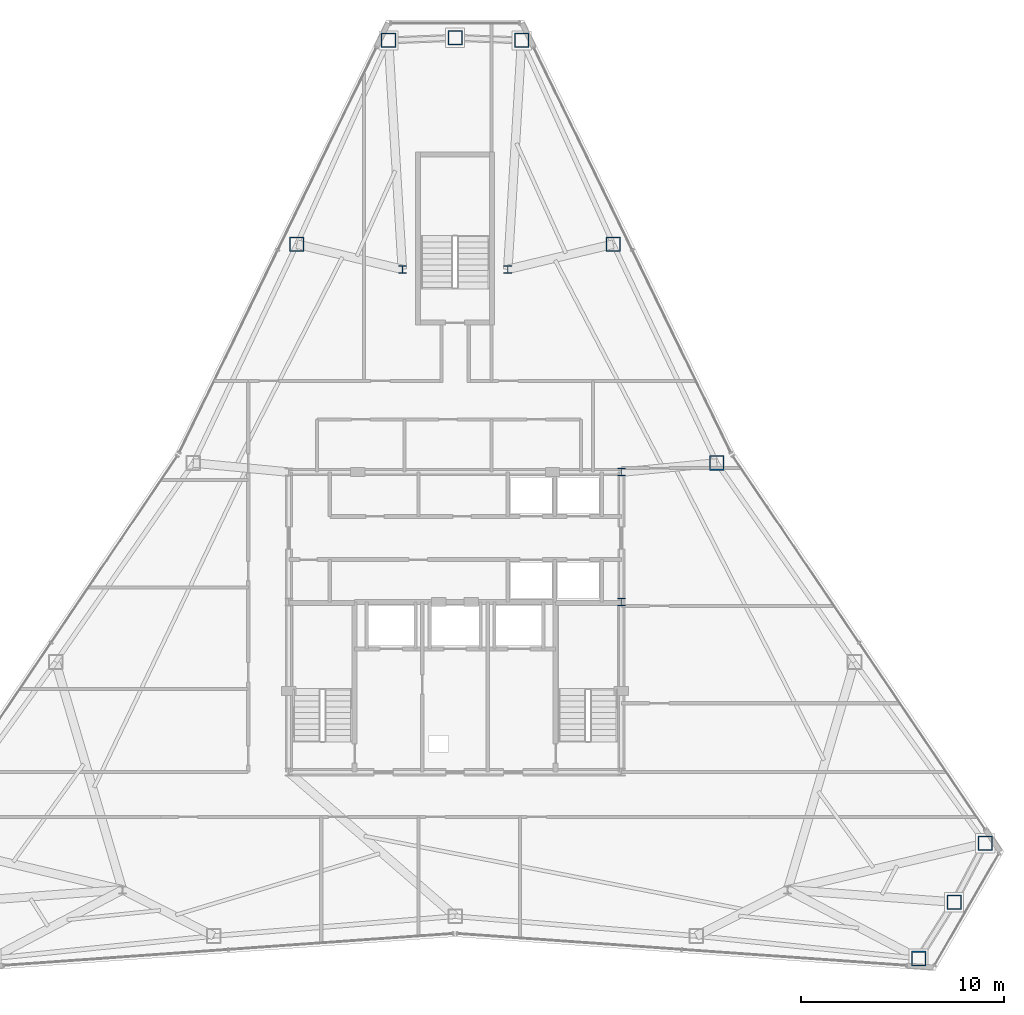
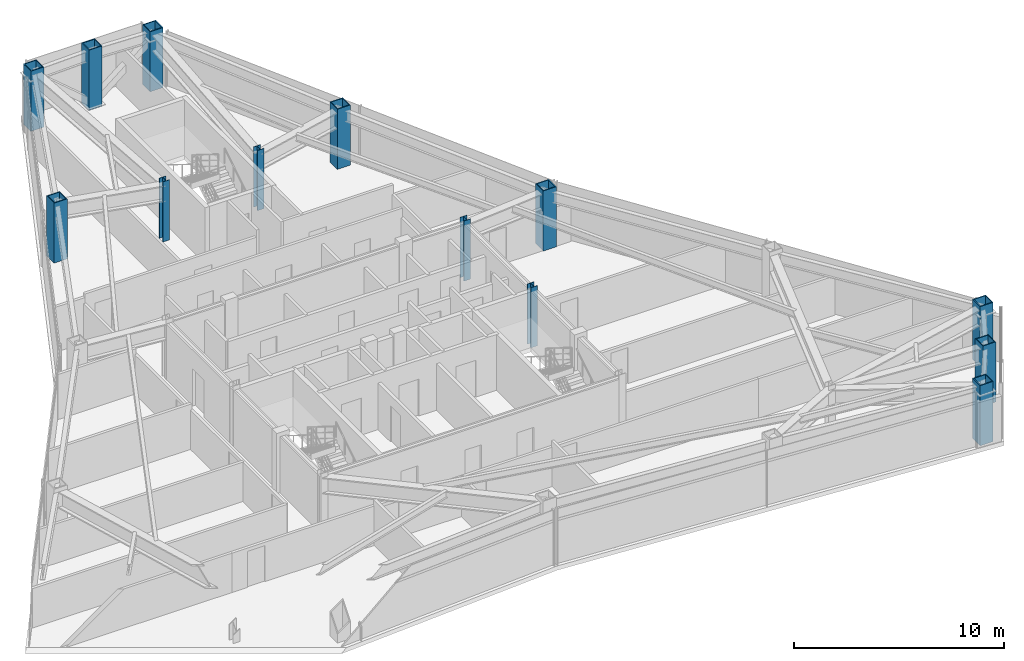
# One storey, part 2 of 12: 13 columns.
"""IFC4 building model written with IfcOpenShell, lengths in metres."""

import ifcopenshell
import ifcopenshell.guid

model = None  # the IFC model being written
_history = None  # IfcOwnerHistory: only IFC2X3 demands one
_inside = {}  # id of a spatial element -> (the spatial element, [elements in it])
_under = {}  # id of a project, library or spatial element -> (it, [spatial elements below it])
_declared = {}  # id of a project -> (the project, [libraries it declares])
_typed = {}  # id of a type object -> (the type object, [elements of that type])
_made_of = {}  # id of a material, layer set ... -> (it, [elements and type objects made of it])


def new_model(schema):
    """Start an empty IFC model of exactly this schema.

    Asked for "IFC4X3", IfcOpenShell would pick the latest addendum, in which some entities
    have other attributes; the version numbers below select the first issue.
    IFC2X3 requires an IfcOwnerHistory on every rooted entity: one is made here for all.
    """
    global model, _history
    if schema == "IFC4X3":
        model = ifcopenshell.file(schema_version=(4, 3, 0, 0))
    else:
        model = ifcopenshell.file(schema=schema)
    _inside.clear()
    _under.clear()
    _declared.clear()
    _typed.clear()
    _made_of.clear()
    _history = None
    if model.schema == "IFC2X3":
        org = make("IfcOrganization", Name="unknown")
        user = make(
            "IfcPersonAndOrganization",
            ThePerson=make("IfcPerson", FamilyName="unknown"),
            TheOrganization=org,
        )
        app = make(
            "IfcApplication",
            ApplicationDeveloper=org,
            Version="unknown",
            ApplicationFullName="unknown",
            ApplicationIdentifier="unknown",
        )
        _history = make(
            "IfcOwnerHistory",
            OwningUser=user,
            OwningApplication=app,
            ChangeAction="ADDED",
            CreationDate=0,
        )
    return model


def make(cls, **values):
    """One entity of the class cls with the attributes given. An attribute that is None is left unset."""
    return model.create_entity(
        cls, **{name: value for name, value in values.items() if value is not None}
    )


def rooted(cls, **values):
    """An entity with a GlobalId (a new one), such as an element, a storey or a relation."""
    return make(cls, GlobalId=ifcopenshell.guid.new(), OwnerHistory=_history, **values)


def si_unit(unit_type, name, prefix=None):
    """IfcSIUnit, for example si_unit("LENGTHUNIT", "METRE", prefix="MILLI")."""
    return make("IfcSIUnit", UnitType=unit_type, Prefix=prefix, Name=name)


def assignment(units):
    """IfcUnitAssignment: the units of a project."""
    return None if units is None else make("IfcUnitAssignment", Units=units)


def point(xyz):
    """IfcCartesianPoint."""
    return None if xyz is None else make("IfcCartesianPoint", Coordinates=xyz)


def direction(xyz):
    """IfcDirection."""
    return None if xyz is None else make("IfcDirection", DirectionRatios=xyz)


def frame(location, z_axis=None, x_axis=None):
    """IfcAxis2Placement3D, a coordinate frame: its origin and axes. An axis left out is left unset."""
    return make(
        "IfcAxis2Placement3D",
        Location=point(location),
        Axis=direction(z_axis),
        RefDirection=direction(x_axis),
    )


def frame_2d(location, x_axis=None):
    """IfcAxis2Placement2D, a coordinate frame in the plane: its origin and x axis."""
    return make(
        "IfcAxis2Placement2D", Location=point(location), RefDirection=direction(x_axis)
    )


def origin():
    """The frame at (0, 0, 0) with its axes left unset."""
    return frame((0.0, 0.0, 0.0))


def origin_2d():
    """The frame at (0, 0) in the plane with its x axis left unset."""
    return frame_2d((0.0, 0.0))


def place(relative_to, where):
    """IfcLocalPlacement: puts the frame where relative to a parent placement (None: the world)."""
    return make(
        "IfcLocalPlacement", PlacementRelTo=relative_to, RelativePlacement=where
    )


def context(
    kind, dimensions, precision=None, world=None, true_north=None, identifier=None
):
    """IfcGeometricRepresentationContext, for example the 3D "Model" context."""
    return make(
        "IfcGeometricRepresentationContext",
        ContextIdentifier=identifier,
        ContextType=kind,
        CoordinateSpaceDimension=dimensions,
        Precision=precision,
        WorldCoordinateSystem=world,
        TrueNorth=true_north,
    )


def subcontext(parent, identifier, kind, view, scale=None):
    """IfcGeometricRepresentationSubContext, for example "Body" below "Model"."""
    return make(
        "IfcGeometricRepresentationSubContext",
        ContextIdentifier=identifier,
        ContextType=kind,
        ParentContext=parent,
        TargetScale=scale,
        TargetView=view,
    )


def project(units=None, contexts=None):
    """IfcProject with its units and contexts."""
    return rooted(
        "IfcProject",
        Name="project",
        RepresentationContexts=contexts,
        UnitsInContext=assignment(units),
    )


def spatial(cls, under=None, at=None, **own):
    """A site, building, storey or space (cls), placed at a placement, below another one or the project."""
    s = rooted(cls, ObjectPlacement=at, **own)
    if under is not None:
        _under.setdefault(under.id(), (under, []))[1].append(s)
    return s


def profile(cls, at=None, kind="AREA", **sizes):
    """A parametric profile (cls). Its sizes go by their IFC names, for example OverallWidth=200.0."""
    return make(cls, ProfileType=kind, Position=at, **sizes)


def hollow_rectangle(**sizes):
    """IfcRectangleHollowProfileDef."""
    return profile("IfcRectangleHollowProfileDef", **sizes)


def i_section(**sizes):
    """IfcIShapeProfileDef."""
    return profile("IfcIShapeProfileDef", **sizes)


def extrude(swept, where, along, depth):
    """IfcExtrudedAreaSolid: the profile swept, set in the frame where, extruded along a direction by depth."""
    return make(
        "IfcExtrudedAreaSolid",
        SweptArea=swept,
        Position=where,
        ExtrudedDirection=direction(along),
        Depth=depth,
    )


def shape(context_of_items, identifier, shape_type, items):
    """IfcShapeRepresentation: the items that make up one representation, for example the "Body"."""
    return make(
        "IfcShapeRepresentation",
        ContextOfItems=context_of_items,
        RepresentationIdentifier=identifier,
        RepresentationType=shape_type,
        Items=items,
    )


def material(Name=None, Category=None):
    """IfcMaterial."""
    return make("IfcMaterial", Name=Name, Category=Category)


def material_profile(
    of_material, cross_section, Name=None, Category=None, Priority=None
):
    """IfcMaterialProfile: a cross section and its material."""
    return make(
        "IfcMaterialProfile",
        Name=Name,
        Material=of_material,
        Profile=cross_section,
        Priority=Priority,
        Category=Category,
    )


def profile_set(profiles, Name=None, composite=None):
    """IfcMaterialProfileSet."""
    return make(
        "IfcMaterialProfileSet",
        Name=Name,
        MaterialProfiles=profiles,
        CompositeProfile=composite,
    )


def made_of(thing, what):
    """Note that an element or type object is made of a material, layer set ...; save() writes the relation."""
    if what is not None:
        _made_of.setdefault(what.id(), (what, []))[1].append(thing)
    return thing


def type_object(cls, material=None, **own):
    """A type object (cls), such as IfcWallType, which elements share."""
    return made_of(rooted(cls, **own), material)


def element(
    cls,
    number,
    at=None,
    inside=None,
    cuts=None,
    type_object=None,
    material=None,
    context=None,
    identifier="Body",
    shape_type=None,
    held_by="IfcProductDefinitionShape",
    body=None,
    shapes=None,
    **own,
):
    """One element of the class cls, such as IfcWall. Its Tag is "e" and its number.

    at: its placement. inside: the storey or other place that contains it. cuts: it is an
    opening in that element (IfcRelVoidsElement). A single representation is given by context,
    identifier, shape_type and body (its items); several are given by shapes. held_by: the class
    of the entity that holds the representations. save() writes the other relations.
    """
    e = rooted(cls, Tag="e%d" % number, ObjectPlacement=at, **own)
    if body is not None:
        shapes = [shape(context, identifier, shape_type, body)]
    if shapes is not None:
        e.Representation = make(held_by, Representations=shapes)
    if inside is not None:
        _inside.setdefault(inside.id(), (inside, []))[1].append(e)
    if cuts is not None:
        rooted(
            "IfcRelVoidsElement", RelatingBuildingElement=cuts, RelatedOpeningElement=e
        )
    if type_object is not None:
        _typed.setdefault(type_object.id(), (type_object, []))[1].append(e)
    return made_of(e, material)


def aggregate(whole, parts):
    """IfcRelAggregates: a whole, such as a stair, and the parts it consists of."""
    return rooted("IfcRelAggregates", RelatingObject=whole, RelatedObjects=parts)


def save(model, path):
    """Write the relations noted so far, then the file.

    IfcRelAggregates (storeys below a building ...), IfcRelContainedInSpatialStructure (elements
    in a storey), IfcRelDefinesByType, IfcRelAssociatesMaterial and IfcRelDeclares: one each for
    every whole, place, type object, material and project.
    """
    for whole, parts in _under.values():
        aggregate(whole, parts)
    for where, things in _inside.values():
        rooted(
            "IfcRelContainedInSpatialStructure",
            RelatedElements=things,
            RelatingStructure=where,
        )
    for kind, things in _typed.values():
        rooted("IfcRelDefinesByType", RelatedObjects=things, RelatingType=kind)
    for what, things in _made_of.values():
        rooted("IfcRelAssociatesMaterial", RelatedObjects=things, RelatingMaterial=what)
    for by, libraries in _declared.values():
        rooted("IfcRelDeclares", RelatingContext=by, RelatedDefinitions=libraries)
    model.write(path)


model = new_model("IFC4")

# Units and contexts
model_context = context("Model", 3, precision=1e-05, world=origin(), true_north=direction((0.0, 1.0)))
body_context = subcontext(model_context, "Body", "Model", "MODEL_VIEW")
ifc_project = project(units=[si_unit("LENGTHUNIT", "METRE"), si_unit("AREAUNIT", "SQUARE_METRE"), si_unit("VOLUMEUNIT", "CUBIC_METRE"), si_unit("PLANEANGLEUNIT", "RADIAN"), si_unit("MASSUNIT", "GRAM", prefix="KILO")], contexts=[model_context])

# Site, building, storey
site_placement = place(None, origin())
site = spatial("IfcSite", under=ifc_project, at=site_placement, CompositionType="ELEMENT")
building_placement = place(site_placement, origin())
building = spatial("IfcBuilding", under=site, at=building_placement, Name="Varakhsha Concourse Tower", CompositionType="ELEMENT")
storey_placement = place(building_placement, frame((0.0, 0.0, 208.39990234375)))
storey = spatial("IfcBuildingStorey", under=building, at=storey_placement, Name="L59", CompositionType="ELEMENT", Elevation=208.39990234375)

# Columns
ifc_material_1 = material(Name="Structural Steel ASTM A992 Grade 50", Category="steel")
ifc_material_profile_1 = material_profile(ifc_material_1, i_section(OverallWidth=0.3740234375, OverallDepth=0.3720703125, WebThickness=0.01611328125, FlangeThickness=0.02587890625, at=origin_2d()), Name="W14X132")
ifc_profile_set_1 = profile_set([ifc_material_profile_1], Name="Structural Steel ASTM A992 Grade 50")
column_type_1 = type_object("IfcColumnType", Name="CL-CORE-W14X132", PredefinedType="COLUMN", material=ifc_profile_set_1)
for number, where, z_axis, x_axis, name in (
    (1, (48.199951171875, 24.800048828125, 0.0), (0.0, 0.0, 1.0), (1.0, 0.0, 0.0), "L59 Core Column CC-ME"),
    (2, (48.199951171875, 31.199951171875, 0.0), (0.0, 0.0, 1.0), (1.0, 0.0, 0.0), "L59 Core Column CC-NE"),
    (3, (37.39990234375, 41.199951171875, 0.0), (0.0, 0.0, 1.0), (1.0, 0.0, 0.0), "L59 Core Column NS-W"),
    (4, (42.60009765625, 41.199951171875, 0.0), (0.0, 0.0, 1.0), (1.0, 0.0, 0.0), "L59 Core Column NS-E"),
):
    element("IfcColumn", number, at=place(storey_placement, frame(where, z_axis=z_axis, x_axis=x_axis)), inside=storey, type_object=column_type_1, Name=name, PredefinedType="COLUMN", context=body_context, shape_type="SweptSolid", body=[
        extrude(i_section(OverallWidth=0.3740234375, OverallDepth=0.3720703125, WebThickness=0.01611328125, FlangeThickness=0.02587890625, at=origin_2d()), origin(), (0.0, 0.0, 1.0), 3.5),
    ])
ifc_material_2 = material(Name="Structural Steel ASTM A572 Grade 50", Category="steel")
ifc_material_profile_2 = material_profile(ifc_material_2, hollow_rectangle(XDim=0.719970703125, YDim=0.719970703125, WallThickness=0.050048828125, at=origin_2d()), Name="BOX 720x720x50")
ifc_profile_set_2 = profile_set([ifc_material_profile_2], Name="Structural Steel ASTM A572 Grade 50")
column_type_2 = type_object("IfcColumnType", Name="CL-TUBE-720", PredefinedType="COLUMN", material=ifc_profile_set_2)
for number, where, z_axis, x_axis, name in (
    (5, (43.283203125, 52.492431640625, 0.0), (0.0, 0.0, 1.0), (1.0, 0.0, 0.0), "L59 Framed-Tube Column TC01"),
    (6, (40.0, 52.61767578125, 0.0), (0.0, 0.0, 1.0), (1.0, 0.0, 0.0), "L59 Framed-Tube Column TC02"),
    (7, (36.716796875, 52.492431640625, 0.0), (0.0, 0.0, 1.0), (1.0, 0.0, 0.0), "L59 Framed-Tube Column TC03"),
    (8, (32.199951171875, 42.442626953125, 0.0), (0.0, 0.0, 1.0), (1.0, 0.0, 0.0), "L59 Framed-Tube Column TC04"),
    (9, (62.8603515625, 7.210205078125, 0.0), (0.0, 0.0, 1.0), (1.0, 0.0, 0.0), "L59 Framed-Tube Column TC13"),
    (10, (64.610595703125, 9.9912109375, 0.0), (0.0, 0.0, 1.0), (1.0, 0.0, 0.0), "L59 Framed-Tube Column TC14"),
    (11, (66.143798828125, 12.897216796875, 0.0), (0.0, 0.0, 1.0), (1.0, 0.0, 0.0), "L59 Framed-Tube Column TC15"),
    (12, (52.90625, 31.651611328125, 0.0), (0.0, 0.0, 1.0), (1.0, 0.0, 0.0), "L59 Framed-Tube Column TC17"),
    (13, (47.800048828125, 42.442626953125, 0.0), (0.0, 0.0, 1.0), (1.0, 0.0, 0.0), "L59 Framed-Tube Column TC18"),
):
    element("IfcColumn", number, at=place(storey_placement, frame(where, z_axis=z_axis, x_axis=x_axis)), inside=storey, type_object=column_type_2, Name=name, PredefinedType="COLUMN", context=body_context, shape_type="SweptSolid", body=[
        extrude(hollow_rectangle(XDim=0.719970703125, YDim=0.719970703125, WallThickness=0.050048828125, at=origin_2d()), origin(), (0.0, 0.0, 1.0), 3.5),
    ])

save(model, "model.ifc")
